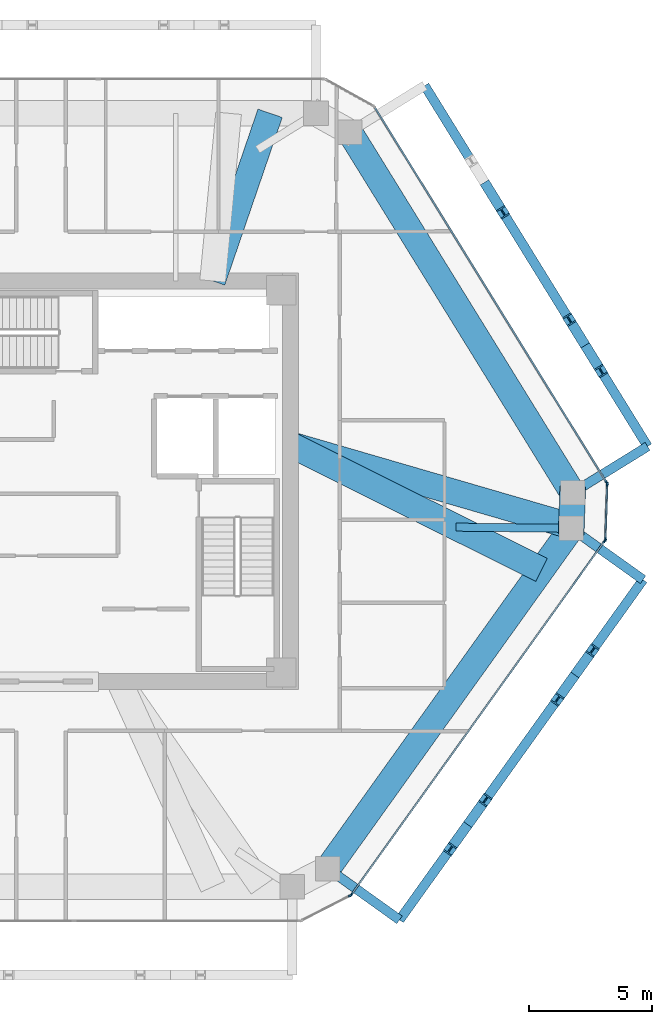
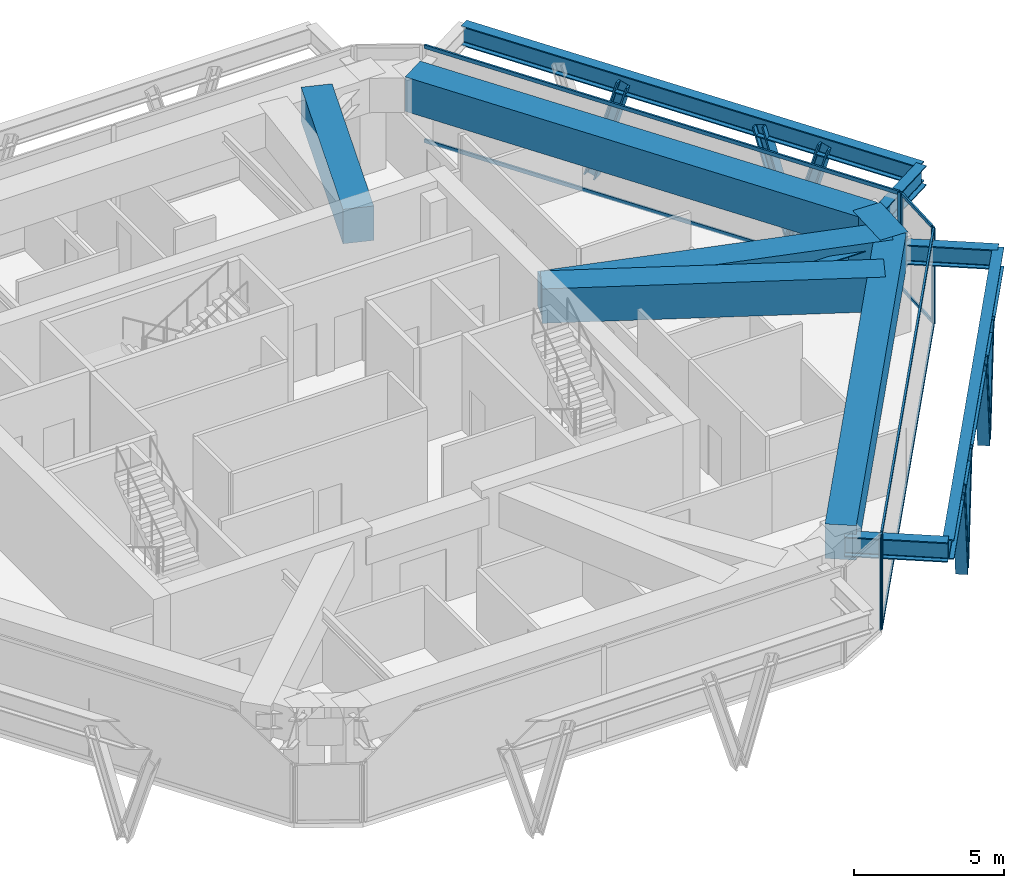
# One storey, part 5 of 11: 19 members, 12 beams, 4 elements without a shape of their own.
"""IFC4 building model written with IfcOpenShell, lengths in metres."""

import ifcopenshell
import ifcopenshell.guid

model = None  # the IFC model being written
_history = None  # IfcOwnerHistory: only IFC2X3 demands one
_inside = {}  # id of a spatial element -> (the spatial element, [elements in it])
_under = {}  # id of a project, library or spatial element -> (it, [spatial elements below it])
_declared = {}  # id of a project -> (the project, [libraries it declares])
_typed = {}  # id of a type object -> (the type object, [elements of that type])
_made_of = {}  # id of a material, layer set ... -> (it, [elements and type objects made of it])


def new_model(schema):
    """Start an empty IFC model of exactly this schema.

    Asked for "IFC4X3", IfcOpenShell would pick the latest addendum, in which some entities
    have other attributes; the version numbers below select the first issue.
    IFC2X3 requires an IfcOwnerHistory on every rooted entity: one is made here for all.
    """
    global model, _history
    if schema == "IFC4X3":
        model = ifcopenshell.file(schema_version=(4, 3, 0, 0))
    else:
        model = ifcopenshell.file(schema=schema)
    _inside.clear()
    _under.clear()
    _declared.clear()
    _typed.clear()
    _made_of.clear()
    _history = None
    if model.schema == "IFC2X3":
        org = make("IfcOrganization", Name="unknown")
        user = make(
            "IfcPersonAndOrganization",
            ThePerson=make("IfcPerson", FamilyName="unknown"),
            TheOrganization=org,
        )
        app = make(
            "IfcApplication",
            ApplicationDeveloper=org,
            Version="unknown",
            ApplicationFullName="unknown",
            ApplicationIdentifier="unknown",
        )
        _history = make(
            "IfcOwnerHistory",
            OwningUser=user,
            OwningApplication=app,
            ChangeAction="ADDED",
            CreationDate=0,
        )
    return model


def make(cls, **values):
    """One entity of the class cls with the attributes given. An attribute that is None is left unset."""
    return model.create_entity(
        cls, **{name: value for name, value in values.items() if value is not None}
    )


def rooted(cls, **values):
    """An entity with a GlobalId (a new one), such as an element, a storey or a relation."""
    return make(cls, GlobalId=ifcopenshell.guid.new(), OwnerHistory=_history, **values)


def si_unit(unit_type, name, prefix=None):
    """IfcSIUnit, for example si_unit("LENGTHUNIT", "METRE", prefix="MILLI")."""
    return make("IfcSIUnit", UnitType=unit_type, Prefix=prefix, Name=name)


def assignment(units):
    """IfcUnitAssignment: the units of a project."""
    return None if units is None else make("IfcUnitAssignment", Units=units)


def point(xyz):
    """IfcCartesianPoint."""
    return None if xyz is None else make("IfcCartesianPoint", Coordinates=xyz)


def direction(xyz):
    """IfcDirection."""
    return None if xyz is None else make("IfcDirection", DirectionRatios=xyz)


def frame(location, z_axis=None, x_axis=None):
    """IfcAxis2Placement3D, a coordinate frame: its origin and axes. An axis left out is left unset."""
    return make(
        "IfcAxis2Placement3D",
        Location=point(location),
        Axis=direction(z_axis),
        RefDirection=direction(x_axis),
    )


def frame_2d(location, x_axis=None):
    """IfcAxis2Placement2D, a coordinate frame in the plane: its origin and x axis."""
    return make(
        "IfcAxis2Placement2D", Location=point(location), RefDirection=direction(x_axis)
    )


def origin():
    """The frame at (0, 0, 0) with its axes left unset."""
    return frame((0.0, 0.0, 0.0))


def origin_2d():
    """The frame at (0, 0) in the plane with its x axis left unset."""
    return frame_2d((0.0, 0.0))


def place(relative_to, where):
    """IfcLocalPlacement: puts the frame where relative to a parent placement (None: the world)."""
    return make(
        "IfcLocalPlacement", PlacementRelTo=relative_to, RelativePlacement=where
    )


def context(
    kind, dimensions, precision=None, world=None, true_north=None, identifier=None
):
    """IfcGeometricRepresentationContext, for example the 3D "Model" context."""
    return make(
        "IfcGeometricRepresentationContext",
        ContextIdentifier=identifier,
        ContextType=kind,
        CoordinateSpaceDimension=dimensions,
        Precision=precision,
        WorldCoordinateSystem=world,
        TrueNorth=true_north,
    )


def subcontext(parent, identifier, kind, view, scale=None):
    """IfcGeometricRepresentationSubContext, for example "Body" below "Model"."""
    return make(
        "IfcGeometricRepresentationSubContext",
        ContextIdentifier=identifier,
        ContextType=kind,
        ParentContext=parent,
        TargetScale=scale,
        TargetView=view,
    )


def project(units=None, contexts=None):
    """IfcProject with its units and contexts."""
    return rooted(
        "IfcProject",
        Name="project",
        RepresentationContexts=contexts,
        UnitsInContext=assignment(units),
    )


def spatial(cls, under=None, at=None, **own):
    """A site, building, storey or space (cls), placed at a placement, below another one or the project."""
    s = rooted(cls, ObjectPlacement=at, **own)
    if under is not None:
        _under.setdefault(under.id(), (under, []))[1].append(s)
    return s


def profile(cls, at=None, kind="AREA", **sizes):
    """A parametric profile (cls). Its sizes go by their IFC names, for example OverallWidth=200.0."""
    return make(cls, ProfileType=kind, Position=at, **sizes)


def rectangle(**sizes):
    """IfcRectangleProfileDef."""
    return profile("IfcRectangleProfileDef", **sizes)


def i_section(**sizes):
    """IfcIShapeProfileDef."""
    return profile("IfcIShapeProfileDef", **sizes)


def extrude(swept, where, along, depth):
    """IfcExtrudedAreaSolid: the profile swept, set in the frame where, extruded along a direction by depth."""
    return make(
        "IfcExtrudedAreaSolid",
        SweptArea=swept,
        Position=where,
        ExtrudedDirection=direction(along),
        Depth=depth,
    )


def shape(context_of_items, identifier, shape_type, items):
    """IfcShapeRepresentation: the items that make up one representation, for example the "Body"."""
    return make(
        "IfcShapeRepresentation",
        ContextOfItems=context_of_items,
        RepresentationIdentifier=identifier,
        RepresentationType=shape_type,
        Items=items,
    )


def source(mapping_origin, context_of_items, identifier, shape_type, items):
    """IfcRepresentationMap: a shape defined once, which mapped items show again and again."""
    return make(
        "IfcRepresentationMap",
        MappingOrigin=mapping_origin,
        MappedRepresentation=shape(context_of_items, identifier, shape_type, items),
    )


def transform(
    local_origin,
    x_axis=None,
    y_axis=None,
    z_axis=None,
    scale=None,
    scale2=None,
    scale3=None,
    uniform=True,
):
    """IfcCartesianTransformationOperator3D, or its non-uniform kind. x_axis, y_axis, z_axis: its Axis1, 2, 3."""
    if uniform:
        return make(
            "IfcCartesianTransformationOperator3D",
            Axis1=direction(x_axis),
            Axis2=direction(y_axis),
            LocalOrigin=point(local_origin),
            Scale=scale,
            Axis3=direction(z_axis),
        )
    return make(
        "IfcCartesianTransformationOperator3DnonUniform",
        Axis1=direction(x_axis),
        Axis2=direction(y_axis),
        LocalOrigin=point(local_origin),
        Scale=scale,
        Axis3=direction(z_axis),
        Scale2=scale2,
        Scale3=scale3,
    )


def mapped(mapping_source, mapping_target):
    """IfcMappedItem: shows the shape of a source again, moved by a transform."""
    return make(
        "IfcMappedItem", MappingSource=mapping_source, MappingTarget=mapping_target
    )


def material(Name=None, Category=None):
    """IfcMaterial."""
    return make("IfcMaterial", Name=Name, Category=Category)


def layer(
    of_material, thickness, ventilated=None, Name=None, Category=None, Priority=None
):
    """IfcMaterialLayer: one layer of a wall or slab, of a material (None: an air gap)."""
    return make(
        "IfcMaterialLayer",
        Material=of_material,
        LayerThickness=thickness,
        IsVentilated=ventilated,
        Name=Name,
        Category=Category,
        Priority=Priority,
    )


def layer_set(layers, Name=None):
    """IfcMaterialLayerSet."""
    return make("IfcMaterialLayerSet", MaterialLayers=layers, LayerSetName=Name)


def material_profile(
    of_material, cross_section, Name=None, Category=None, Priority=None
):
    """IfcMaterialProfile: a cross section and its material."""
    return make(
        "IfcMaterialProfile",
        Name=Name,
        Material=of_material,
        Profile=cross_section,
        Priority=Priority,
        Category=Category,
    )


def profile_set(profiles, Name=None, composite=None):
    """IfcMaterialProfileSet."""
    return make(
        "IfcMaterialProfileSet",
        Name=Name,
        MaterialProfiles=profiles,
        CompositeProfile=composite,
    )


def made_of(thing, what):
    """Note that an element or type object is made of a material, layer set ...; save() writes the relation."""
    if what is not None:
        _made_of.setdefault(what.id(), (what, []))[1].append(thing)
    return thing


def type_object(cls, material=None, **own):
    """A type object (cls), such as IfcWallType, which elements share."""
    return made_of(rooted(cls, **own), material)


def type_shapes(of_type, sources):
    """Give a type object the sources (RepresentationMaps) that its elements show as mapped items."""
    of_type.RepresentationMaps = sources


def element(
    cls,
    number,
    at=None,
    inside=None,
    cuts=None,
    type_object=None,
    material=None,
    context=None,
    identifier="Body",
    shape_type=None,
    held_by="IfcProductDefinitionShape",
    body=None,
    shapes=None,
    **own,
):
    """One element of the class cls, such as IfcWall. Its Tag is "e" and its number.

    at: its placement. inside: the storey or other place that contains it. cuts: it is an
    opening in that element (IfcRelVoidsElement). A single representation is given by context,
    identifier, shape_type and body (its items); several are given by shapes. held_by: the class
    of the entity that holds the representations. save() writes the other relations.
    """
    e = rooted(cls, Tag="e%d" % number, ObjectPlacement=at, **own)
    if body is not None:
        shapes = [shape(context, identifier, shape_type, body)]
    if shapes is not None:
        e.Representation = make(held_by, Representations=shapes)
    if inside is not None:
        _inside.setdefault(inside.id(), (inside, []))[1].append(e)
    if cuts is not None:
        rooted(
            "IfcRelVoidsElement", RelatingBuildingElement=cuts, RelatedOpeningElement=e
        )
    if type_object is not None:
        _typed.setdefault(type_object.id(), (type_object, []))[1].append(e)
    return made_of(e, material)


def aggregate(whole, parts):
    """IfcRelAggregates: a whole, such as a stair, and the parts it consists of."""
    return rooted("IfcRelAggregates", RelatingObject=whole, RelatedObjects=parts)


def save(model, path):
    """Write the relations noted so far, then the file.

    IfcRelAggregates (storeys below a building ...), IfcRelContainedInSpatialStructure (elements
    in a storey), IfcRelDefinesByType, IfcRelAssociatesMaterial and IfcRelDeclares: one each for
    every whole, place, type object, material and project.
    """
    for whole, parts in _under.values():
        aggregate(whole, parts)
    for where, things in _inside.values():
        rooted(
            "IfcRelContainedInSpatialStructure",
            RelatedElements=things,
            RelatingStructure=where,
        )
    for kind, things in _typed.values():
        rooted("IfcRelDefinesByType", RelatedObjects=things, RelatingType=kind)
    for what, things in _made_of.values():
        rooted("IfcRelAssociatesMaterial", RelatedObjects=things, RelatingMaterial=what)
    for by, libraries in _declared.values():
        rooted("IfcRelDeclares", RelatingContext=by, RelatedDefinitions=libraries)
    model.write(path)


model = new_model("IFC4")

# Units and contexts
model_context = context("Model", 3, precision=1e-05, world=origin(), true_north=direction((0.0, 1.0)))
body_context = subcontext(model_context, "Body", "Model", "MODEL_VIEW")
ifc_project = project(units=[si_unit("LENGTHUNIT", "METRE"), si_unit("AREAUNIT", "SQUARE_METRE"), si_unit("VOLUMEUNIT", "CUBIC_METRE"), si_unit("PLANEANGLEUNIT", "RADIAN"), si_unit("MASSUNIT", "GRAM", prefix="KILO")], contexts=[model_context])

# Site, building, storey
site_placement = place(None, origin())
site = spatial("IfcSite", under=ifc_project, at=site_placement, CompositionType="ELEMENT")
building_placement = place(site_placement, origin())
building = spatial("IfcBuilding", under=site, at=building_placement, Name="Durnholm Broadcast Tower", CompositionType="ELEMENT")
storey_placement = place(building_placement, frame((0.0, 0.0, 209.199951171875)))
storey = spatial("IfcBuildingStorey", under=building, at=storey_placement, Name="L58", CompositionType="ELEMENT", Elevation=209.199951171875)

# Beams
ifc_material_1 = material(Name="Steel ASTM A992 Grade 50", Category="steel")
ifc_material_profile_1 = material_profile(ifc_material_1, i_section(OverallWidth=0.385009765625, OverallDepth=0.802978515625, WebThickness=0.023681640625, FlangeThickness=0.0419921875, FilletRadius=0.032958984375, at=origin_2d()), Name="W30X261")
ifc_profile_set_1 = profile_set([ifc_material_profile_1], Name="Steel ASTM A992 Grade 50")
beam_type_1 = type_object("IfcBeamType", Name="BM-EXO-TIE", PredefinedType="USERDEFINED", material=ifc_profile_set_1)
shared_shape_1 = source(origin(), body_context, "Body", "SweptSolid", [
    extrude(i_section(OverallWidth=0.385009765625, OverallDepth=0.802978515625, WebThickness=0.023681640625, FlangeThickness=0.0419921875, FilletRadius=0.032958984375, at=origin_2d()), origin(), (0.0, 0.0, 1.0), 3.4560546875),
])
for number, where, z_axis, x_axis, name in (
    (1, (11.81689453125, -15.884033203125, 3.1484375), (0.813079048773, -0.582153296346, 0.0), (0.582153296346, 0.813079048773, 0.0), "L58 exoskeleton stand-off tie bracket F2.1"),
    (2, (21.7548828125, -2.00341796875, 3.1484375), (0.813079048773, -0.582153296346, 0.0), (0.582153296346, 0.813079048773, 0.0), "L58 exoskeleton stand-off tie bracket F2.2"),
    (3, (21.8095703125, -0.3916015625, 3.1484375), (0.850662348375, 0.525712439512, 0.0), (-0.525712439512, 0.850662348375, 0.0), "L58 exoskeleton stand-off tie bracket F3.1"),
):
    element("IfcBeam", number, at=place(storey_placement, frame(where, z_axis=z_axis, x_axis=x_axis)), inside=storey, type_object=beam_type_1, Name=name, ObjectType="GIRDER", PredefinedType="USERDEFINED", context=body_context, shape_type="MappedRepresentation", body=[
        mapped(shared_shape_1, transform((0.0, 0.0, 0.0), x_axis=(1.0, 0.0, 0.0), y_axis=(0.0, 1.0, 0.0), z_axis=(0.0, 0.0, 1.0), scale=1.0)),
    ])
shared_shape_2 = source(origin(), body_context, "Body", "SweptSolid", [
    extrude(i_section(OverallWidth=0.385009765625, OverallDepth=0.802978515625, WebThickness=0.023681640625, FlangeThickness=0.0419921875, FilletRadius=0.032958984375, at=origin_2d()), origin(), (0.0, 0.0, 1.0), 17.071533203125),
])
beam_1_placement = place(storey_placement, frame((14.626953125, -17.89599609375, 3.1484375), z_axis=(0.582140157836, 0.813088455603, 0.0), x_axis=(-0.813088455603, 0.582140157836, 0.0)))
element("IfcBeam", 4, at=beam_1_placement, inside=storey, type_object=beam_type_1, Name="L58 exoskeleton collector spandrel F2", PredefinedType="SPANDREL", context=body_context, shape_type="MappedRepresentation", body=[
    mapped(shared_shape_2, transform((0.0, 0.0, 0.0), x_axis=(1.0, 0.0, 0.0), y_axis=(0.0, 1.0, 0.0), z_axis=(0.0, 0.0, 1.0), scale=1.0)),
])
shared_shape_3 = source(origin(), body_context, "Body", "SweptSolid", [
    extrude(i_section(OverallWidth=0.385009765625, OverallDepth=0.802978515625, WebThickness=0.023681640625, FlangeThickness=0.0419921875, FilletRadius=0.032958984375, at=origin_2d()), origin(), (0.0, 0.0, 1.0), 17.303466796875),
])
type_shapes(beam_type_1, [shared_shape_1, shared_shape_2, shared_shape_3])
beam_2_placement = place(storey_placement, frame((24.74951171875, 1.42529296875, 3.1484375), z_axis=(-0.525701634347, 0.850669025911, 0.0), x_axis=(-0.850669025911, -0.525701634347, 0.0)))
element("IfcBeam", 5, at=beam_2_placement, inside=storey, type_object=beam_type_1, Name="L58 exoskeleton collector spandrel F3", PredefinedType="SPANDREL", context=body_context, shape_type="MappedRepresentation", body=[
    mapped(shared_shape_3, transform((0.0, 0.0, 0.0), x_axis=(1.0, 0.0, 0.0), y_axis=(0.0, 1.0, 0.0), z_axis=(0.0, 0.0, 1.0), scale=1.0)),
])
ifc_material_2 = material(Name="Concrete C70/85", Category="concrete")
ifc_material_profile_2 = material_profile(ifc_material_2, rectangle(XDim=1.050048828125, YDim=1.39990234375, at=origin_2d()), Name="RC1050X1400")
ifc_profile_set_2 = profile_set([ifc_material_profile_2], Name="Concrete C70/85")
beam_type_2 = type_object("IfcBeamType", Name="BM-TG-RC1400", PredefinedType="USERDEFINED", material=ifc_profile_set_2)
shared_shape_4 = source(origin(), body_context, "Body", "SweptSolid", [
    extrude(rectangle(XDim=1.050048828125, YDim=1.39990234375, at=origin_2d()), origin(), (0.0, 0.0, 1.0), 1.953369140625),
])
beam_3_placement = place(storey_placement, frame((21.695556640625, -0.21728515625, 3.199951171875), z_axis=(-0.033872497497, -0.999426162312, 0.0), x_axis=(0.999426162312, -0.033872497497, 0.0)))
element("IfcBeam", 6, at=beam_3_placement, inside=storey, type_object=beam_type_2, Name="L58 perimeter transfer spandrel girder 08", PredefinedType="SPANDREL", context=body_context, shape_type="MappedRepresentation", body=[
    mapped(shared_shape_4, transform((0.0, 0.0, 0.0), x_axis=(1.0, 0.0, 0.0), y_axis=(0.0, 1.0, 0.0), z_axis=(0.0, 0.0, 1.0), scale=1.0)),
])
shared_shape_5 = source(origin(), body_context, "Body", "SweptSolid", [
    extrude(rectangle(XDim=1.050048828125, YDim=1.39990234375, at=origin_2d()), origin(), (0.0, 0.0, 1.0), 17.30322265625),
])
beam_4_placement = place(storey_placement, frame((12.5908203125, 14.252197265625, 3.199951171875), z_axis=(0.525691424148, -0.850675335588, 0.0), x_axis=(0.850675335588, 0.525691424148, 0.0)))
element("IfcBeam", 7, at=beam_4_placement, inside=storey, type_object=beam_type_2, Name="L58 perimeter transfer spandrel girder 07", PredefinedType="SPANDREL", context=body_context, shape_type="MappedRepresentation", body=[
    mapped(shared_shape_5, transform((0.0, 0.0, 0.0), x_axis=(1.0, 0.0, 0.0), y_axis=(0.0, 1.0, 0.0), z_axis=(0.0, 0.0, 1.0), scale=1.0)),
])
shared_shape_6 = source(origin(), body_context, "Body", "SweptSolid", [
    extrude(rectangle(XDim=1.050048828125, YDim=1.39990234375, at=origin_2d()), origin(), (0.0, 0.0, 1.0), 17.071533203125),
])
beam_5_placement = place(storey_placement, frame((21.637939453125, -1.919677734375, 3.199951171875), z_axis=(-0.582149612352, -0.813081686449, 0.0), x_axis=(0.813081686449, -0.582149612352, 0.0)))
element("IfcBeam", 8, at=beam_5_placement, inside=storey, type_object=beam_type_2, Name="L58 perimeter transfer spandrel girder 09", PredefinedType="SPANDREL", context=body_context, shape_type="MappedRepresentation", body=[
    mapped(shared_shape_6, transform((0.0, 0.0, 0.0), x_axis=(1.0, 0.0, 0.0), y_axis=(0.0, 1.0, 0.0), z_axis=(0.0, 0.0, 1.0), scale=1.0)),
])
shared_shape_7 = source(origin(), body_context, "Body", "SweptSolid", [
    extrude(rectangle(XDim=1.050048828125, YDim=1.39990234375, at=origin_2d()), origin(), (0.0, 0.0, 1.0), 7.2333984375),
])
beam_6_placement = place(storey_placement, frame((7.0, 8.175048828125, 3.199951171875), z_axis=(0.324114633666, 0.946017813915, 0.0), x_axis=(-0.946017813915, 0.324114633666, 0.0)))
element("IfcBeam", 9, at=beam_6_placement, inside=storey, type_object=beam_type_2, Name="L58 radial setback transfer girder 07", ObjectType="GIRDER", PredefinedType="USERDEFINED", context=body_context, shape_type="MappedRepresentation", body=[
    mapped(shared_shape_7, transform((0.0, 0.0, 0.0), x_axis=(1.0, 0.0, 0.0), y_axis=(0.0, 1.0, 0.0), z_axis=(0.0, 0.0, 1.0), scale=1.0)),
])
shared_shape_8 = source(origin(), body_context, "Body", "SweptSolid", [
    extrude(rectangle(XDim=1.050048828125, YDim=1.39990234375, at=origin_2d()), origin(), (0.0, 0.0, 1.0), 11.940673828125),
])
beam_7_placement = place(storey_placement, frame((10.175048828125, 1.5, 3.199951171875), z_axis=(0.960224106528, -0.279230487668, 0.0), x_axis=(0.279230487668, 0.960224106528, 0.0)))
element("IfcBeam", 10, at=beam_7_placement, inside=storey, type_object=beam_type_2, Name="L58 radial setback transfer girder 08", ObjectType="GIRDER", PredefinedType="USERDEFINED", context=body_context, shape_type="MappedRepresentation", body=[
    mapped(shared_shape_8, transform((0.0, 0.0, 0.0), x_axis=(1.0, 0.0, 0.0), y_axis=(0.0, 1.0, 0.0), z_axis=(0.0, 0.0, 1.0), scale=1.0)),
])
shared_shape_9 = source(origin(), body_context, "Body", "SweptSolid", [
    extrude(rectangle(XDim=1.050048828125, YDim=1.39990234375, at=origin_2d()), origin(), (0.0, 0.0, 1.0), 11.4541015625),
])
type_shapes(beam_type_2, [shared_shape_4, shared_shape_5, shared_shape_6, shared_shape_7, shared_shape_8, shared_shape_9])
beam_8_placement = place(storey_placement, frame((10.175048828125, 1.5, 3.199951171875), z_axis=(0.894623200828, -0.446821360882, 0.0), x_axis=(0.446821360882, 0.894623200828, 0.0)))
element("IfcBeam", 11, at=beam_8_placement, inside=storey, type_object=beam_type_2, Name="L58 radial setback transfer girder 09", ObjectType="GIRDER", PredefinedType="USERDEFINED", context=body_context, shape_type="MappedRepresentation", body=[
    mapped(shared_shape_9, transform((0.0, 0.0, 0.0), x_axis=(1.0, 0.0, 0.0), y_axis=(0.0, 1.0, 0.0), z_axis=(0.0, 0.0, 1.0), scale=1.0)),
])
ifc_material_profile_3 = material_profile(ifc_material_1, i_section(OverallWidth=0.3291015625, OverallDepth=0.635009765625, WebThickness=0.017822265625, FlangeThickness=0.031005859375, FilletRadius=0.02783203125, at=origin_2d()), Name="W24X162")
ifc_profile_set_3 = profile_set([ifc_material_profile_3], Name="Steel ASTM A992 Grade 50")
beam_type_3 = type_object("IfcBeamType", Name="STL-SP-W24X162", PredefinedType="SPANDREL", material=ifc_profile_set_3)
shared_shape_10 = source(origin(), body_context, "Body", "SweptSolid", [
    extrude(i_section(OverallWidth=0.3291015625, OverallDepth=0.635009765625, WebThickness=0.017822265625, FlangeThickness=0.031005859375, FilletRadius=0.02783203125, at=origin_2d()), origin(), (0.0, 0.0, 1.0), 4.7158203125),
])
type_shapes(beam_type_3, [shared_shape_10])
beam_9_placement = place(storey_placement, frame((21.637939453125, -1.919677734375, 3.280029296875), z_axis=(-0.999944229494, 0.010561150547, 0.0), x_axis=(-0.010561150547, -0.999944229494, 0.0)))
element("IfcBeam", 12, at=beam_9_placement, inside=storey, type_object=beam_type_3, Name="L58 perimeter column collector tie 09", ObjectType="GIRDER", PredefinedType="USERDEFINED", context=body_context, shape_type="MappedRepresentation", body=[
    mapped(shared_shape_10, transform((0.0, 0.0, 0.0), x_axis=(1.0, 0.0, 0.0), y_axis=(0.0, 1.0, 0.0), z_axis=(0.0, 0.0, 1.0), scale=1.0)),
])

# Members
ifc_material_3 = material(Name="Steel ASTM A913 Grade 65", Category="steel")
ifc_material_profile_4 = material_profile(ifc_material_3, i_section(OverallWidth=0.412109375, OverallDepth=0.434814453125, WebThickness=0.035888671875, FlangeThickness=0.057373046875, FilletRadius=0.030517578125, at=origin_2d()), Name="W14X311")
ifc_profile_set_4 = profile_set([ifc_material_profile_4], Name="Steel ASTM A913 Grade 65")
member_type_1 = type_object("IfcMemberType", Name="STL-DG-W14X311", PredefinedType="BRACE", material=ifc_profile_set_4)
shared_shape_11 = source(origin(), body_context, "Body", "SweptSolid", [
    extrude(i_section(OverallWidth=0.412109375, OverallDepth=0.434814453125, WebThickness=0.035888671875, FlangeThickness=0.057373046875, FilletRadius=0.030517578125, at=origin_2d()), origin(), (0.0, 0.0, 1.0), 4.31982421875),
])
type_shapes(member_type_1, [shared_shape_11])
for number, where, z_axis, x_axis, name in (
    (13, (17.40966796875, -14.009521484375, -0.991455078125), (-0.166270665174, -0.232225072468, 0.958345230916), (0.813077820009, -0.582155012526, 0.0), "L58 stand-off diagrid brace F2.D1.1"),
    (14, (17.40966796875, -14.009521484375, -0.991455078125), (0.166270665174, 0.232225072468, 0.958345230916), (-0.813077820009, 0.582155012526, 0.0), "L58 stand-off diagrid brace F2.D1.2"),
    (15, (21.782470703125, -7.90185546875, -0.991455078125), (-0.166270665174, -0.232225072468, 0.958345230916), (0.813077820009, -0.582155012526, 0.0), "L58 stand-off diagrid brace F2.D2.1"),
    (16, (21.782470703125, -7.90185546875, -0.991455078125), (0.166215710641, 0.232227254343, 0.95835423507), (-0.813171482985, 0.58202417412, 0.0), "L58 stand-off diagrid brace F2.D2.2"),
    (17, (22.202392578125, 5.546875, -0.991455078125), (0.150163114843, -0.242962450399, 0.958342468347), (0.850644447398, 0.525741404219, 0.0), "L58 stand-off diagrid brace F3.D1.1"),
    (18, (22.202392578125, 5.546875, -0.991455078125), (-0.15010993349, 0.242911330624, 0.958363758352), (-0.85067825406, -0.525686701439, 0.0), "L58 stand-off diagrid brace F3.D1.2"),
    (19, (18.2001953125, 12.023193359375, -0.991455078125), (0.15010993349, -0.242911330624, 0.958363758352), (0.85067825406, 0.525686701439, 0.0), "L58 stand-off diagrid brace F3.D2.1"),
):
    element("IfcMember", number, at=place(storey_placement, frame(where, z_axis=z_axis, x_axis=x_axis)), inside=storey, type_object=member_type_1, Name=name, PredefinedType="BRACE", context=body_context, shape_type="MappedRepresentation", body=[
        mapped(shared_shape_11, transform((0.0, 0.0, 0.0), x_axis=(1.0, 0.0, 0.0), y_axis=(0.0, 1.0, 0.0), z_axis=(0.0, 0.0, 1.0), scale=1.0)),
    ])

# Curtain wall, members
ifc_material_4 = material(Name="Aluminium and Solar Control IGU", Category="aluminium")
ifc_layer_1 = layer(ifc_material_4, 0.1650390625)
ifc_layer_set_1 = layer_set([ifc_layer_1], Name="Aluminium and Solar Control IGU")
curtain_wall_type_1 = type_object("IfcCurtainWallType", Name="CW-SYS-5", PredefinedType="NOTDEFINED", material=ifc_layer_set_1)
curtain_wall_1_placement = place(storey_placement, origin())
curtain_wall_1 = element("IfcCurtainWall", 20, at=curtain_wall_1_placement, inside=storey, type_object=curtain_wall_type_1, Name="L58 curtain wall CW-CORNER CW-L58-CRN-07", PredefinedType="NOTDEFINED")
ifc_material_5 = material(Name="Aluminium 6063-T6", Category="aluminium")
ifc_material_profile_5 = material_profile(ifc_material_5, rectangle(XDim=0.06494140625, YDim=0.1298828125, at=origin_2d()), Name="CWT65X130")
ifc_profile_set_5 = profile_set([ifc_material_profile_5], Name="Aluminium 6063-T6")
member_type_2 = type_object("IfcMemberType", Name="CW-SYS-5-TRN", PredefinedType="USERDEFINED", material=ifc_profile_set_5)
shared_shape_12 = source(origin(), body_context, "Body", "SweptSolid", [
    extrude(rectangle(XDim=0.06494140625, YDim=0.1298828125, at=origin_2d()), origin(), (0.0, 0.0, 1.0), 2.170166015625),
])
type_shapes(member_type_2, [shared_shape_12])
member_1_placement = place(storey_placement, frame((23.098388671875, -0.156494140625, 0.032470703125), z_axis=(-0.033861704743, -0.999426528041, 0.0), x_axis=(0.999426528041, -0.033861704743, 0.0)))
member_1 = element("IfcMember", 21, at=member_1_placement, type_object=member_type_2, Name="CW-CORNER transom 1.1", ObjectType="TRANSOM", PredefinedType="USERDEFINED", context=body_context, shape_type="MappedRepresentation", body=[
    mapped(shared_shape_12, transform((0.0, 0.0, 0.0), x_axis=(1.0, 0.0, 0.0), y_axis=(0.0, 1.0, 0.0), z_axis=(0.0, 0.0, 1.0), scale=1.0)),
])
member_2_placement = place(storey_placement, frame((23.098388671875, -0.156494140625, 3.867431640625), z_axis=(-0.033861704743, -0.999426528041, 0.0), x_axis=(0.999426528041, -0.033861704743, 0.0)))
member_2 = element("IfcMember", 22, at=member_2_placement, type_object=member_type_2, Name="CW-CORNER transom 1.2", ObjectType="TRANSOM", PredefinedType="USERDEFINED", context=body_context, shape_type="MappedRepresentation", body=[
    mapped(shared_shape_12, transform((0.0, 0.0, 0.0), x_axis=(1.0, 0.0, 0.0), y_axis=(0.0, 1.0, 0.0), z_axis=(0.0, 0.0, 1.0), scale=1.0)),
])

ifc_layer_2 = layer(ifc_material_4, 0.18994140625)
ifc_layer_set_2 = layer_set([ifc_layer_2], Name="Aluminium and Solar Control IGU")
curtain_wall_type_2 = type_object("IfcCurtainWallType", Name="CW-SYS-4", PredefinedType="NOTDEFINED", material=ifc_layer_set_2)
curtain_wall_2_placement = place(storey_placement, origin())
curtain_wall_2 = element("IfcCurtainWall", 23, at=curtain_wall_2_placement, inside=storey, type_object=curtain_wall_type_2, Name="L58 curtain wall CW-Z34-VIS CW-L58-F06", PredefinedType="NOTDEFINED")
ifc_material_profile_6 = material_profile(ifc_material_5, rectangle(XDim=0.070068359375, YDim=0.14990234375, at=origin_2d()), Name="CWT70X150")
ifc_profile_set_6 = profile_set([ifc_material_profile_6], Name="Aluminium 6063-T6")
member_type_3 = type_object("IfcMemberType", Name="CW-SYS-4-TRN", PredefinedType="USERDEFINED", material=ifc_profile_set_6)
shared_shape_13 = source(origin(), body_context, "Body", "SweptSolid", [
    extrude(rectangle(XDim=0.070068359375, YDim=0.14990234375, at=origin_2d()), origin(), (0.0, 0.0, 1.0), 17.950927734375),
])
member_3_placement = place(storey_placement, frame((13.627197265625, 15.23828125, 0.03515625), z_axis=(0.525699895853, -0.850670100274, 0.0), x_axis=(0.850670100274, 0.525699895853, 0.0)))
member_3 = element("IfcMember", 24, at=member_3_placement, type_object=member_type_3, Name="CW-Z34-VIS transom 1.1", ObjectType="TRANSOM", PredefinedType="USERDEFINED", context=body_context, shape_type="MappedRepresentation", body=[
    mapped(shared_shape_13, transform((0.0, 0.0, 0.0), x_axis=(1.0, 0.0, 0.0), y_axis=(0.0, 1.0, 0.0), z_axis=(0.0, 0.0, 1.0), scale=1.0)),
])
member_4_placement = place(storey_placement, frame((13.627197265625, 15.23828125, 3.864990234375), z_axis=(0.525699895853, -0.850670100274, 0.0), x_axis=(0.850670100274, 0.525699895853, 0.0)))
member_4 = element("IfcMember", 25, at=member_4_placement, type_object=member_type_3, Name="CW-Z34-VIS transom 1.2", ObjectType="TRANSOM", PredefinedType="USERDEFINED", context=body_context, shape_type="MappedRepresentation", body=[
    mapped(shared_shape_13, transform((0.0, 0.0, 0.0), x_axis=(1.0, 0.0, 0.0), y_axis=(0.0, 1.0, 0.0), z_axis=(0.0, 0.0, 1.0), scale=1.0)),
])

curtain_wall_3_placement = place(storey_placement, origin())
curtain_wall_3 = element("IfcCurtainWall", 26, at=curtain_wall_3_placement, inside=storey, type_object=curtain_wall_type_2, Name="L58 curtain wall CW-Z34-VIS CW-L58-F08", PredefinedType="NOTDEFINED")
shared_shape_14 = source(origin(), body_context, "Body", "SweptSolid", [
    extrude(rectangle(XDim=0.070068359375, YDim=0.14990234375, at=origin_2d()), origin(), (0.0, 0.0, 1.0), 17.693603515625),
])
type_shapes(member_type_3, [shared_shape_13, shared_shape_14])
member_5_placement = place(storey_placement, frame((22.98193359375, -2.447265625, 0.03515625), z_axis=(-0.582144969277, -0.813085010774, 0.0), x_axis=(0.813085010774, -0.582144969277, 0.0)))
member_5 = element("IfcMember", 27, at=member_5_placement, type_object=member_type_3, Name="CW-Z34-VIS transom 1.1", ObjectType="TRANSOM", PredefinedType="USERDEFINED", context=body_context, shape_type="MappedRepresentation", body=[
    mapped(shared_shape_14, transform((0.0, 0.0, 0.0), x_axis=(1.0, 0.0, 0.0), y_axis=(0.0, 1.0, 0.0), z_axis=(0.0, 0.0, 1.0), scale=1.0)),
])
member_6_placement = place(storey_placement, frame((22.98193359375, -2.447265625, 3.864990234375), z_axis=(-0.582144969277, -0.813085010774, 0.0), x_axis=(0.813085010774, -0.582144969277, 0.0)))
member_6 = element("IfcMember", 28, at=member_6_placement, type_object=member_type_3, Name="CW-Z34-VIS transom 1.2", ObjectType="TRANSOM", PredefinedType="USERDEFINED", context=body_context, shape_type="MappedRepresentation", body=[
    mapped(shared_shape_14, transform((0.0, 0.0, 0.0), x_axis=(1.0, 0.0, 0.0), y_axis=(0.0, 1.0, 0.0), z_axis=(0.0, 0.0, 1.0), scale=1.0)),
])

# Member
ifc_material_profile_7 = material_profile(ifc_material_5, rectangle(XDim=0.06494140625, YDim=0.1650390625, at=origin_2d()), Name="CWM65X165")
ifc_profile_set_7 = profile_set([ifc_material_profile_7], Name="Aluminium 6063-T6")
member_type_4 = type_object("IfcMemberType", Name="CW-SYS-5-MUL", PredefinedType="MULLION", material=ifc_profile_set_7)
shared_shape_15 = source(origin(), body_context, "Body", "SweptSolid", [
    extrude(rectangle(XDim=0.06494140625, YDim=0.1650390625, at=origin_2d()), origin(), (0.0, 0.0, 1.0), 3.900146484375),
])
type_shapes(member_type_4, [shared_shape_15])
member_7_placement = place(storey_placement, frame((23.099609375, -0.1240234375, 0.0), z_axis=(0.0, 0.0, 1.0), x_axis=(0.999424798802, -0.033912704699, 0.0)))
member_7 = element("IfcMember", 29, at=member_7_placement, type_object=member_type_4, Name="CW-CORNER mullion 1", PredefinedType="MULLION", context=body_context, shape_type="MappedRepresentation", body=[
    mapped(shared_shape_15, transform((0.0, 0.0, 0.0), x_axis=(1.0, 0.0, 0.0), y_axis=(0.0, 1.0, 0.0), z_axis=(0.0, 0.0, 1.0), scale=1.0)),
])

member_8_placement = place(storey_placement, frame((23.023681640625, -2.35791015625, 0.0), z_axis=(0.0, 0.0, 1.0), x_axis=(0.999424798802, -0.033912704699, 0.0)))
member_8 = element("IfcMember", 30, at=member_8_placement, type_object=member_type_4, Name="CW-CORNER mullion 2", PredefinedType="MULLION", context=body_context, shape_type="MappedRepresentation", body=[
    mapped(shared_shape_15, transform((0.0, 0.0, 0.0), x_axis=(1.0, 0.0, 0.0), y_axis=(0.0, 1.0, 0.0), z_axis=(0.0, 0.0, 1.0), scale=1.0)),
])

aggregate(curtain_wall_1, [member_7, member_8, member_1, member_2])

# Curtain wall, member
curtain_wall_4_placement = place(storey_placement, origin())
curtain_wall_4 = element("IfcCurtainWall", 31, at=curtain_wall_4_placement, inside=storey, type_object=curtain_wall_type_1, Name="L58 curtain wall CW-CORNER CW-L58-CRN-09", PredefinedType="NOTDEFINED")
member_9_placement = place(storey_placement, frame((12.612060546875, -16.905517578125, 0.0), z_axis=(0.0, 0.0, 1.0), x_axis=(0.457081764476, -0.889424679545, 0.0)))
member_9 = element("IfcMember", 32, at=member_9_placement, type_object=member_type_4, Name="CW-CORNER mullion 1", PredefinedType="MULLION", context=body_context, shape_type="MappedRepresentation", body=[
    mapped(shared_shape_15, transform((0.0, 0.0, 0.0), x_axis=(1.0, 0.0, 0.0), y_axis=(0.0, 1.0, 0.0), z_axis=(0.0, 0.0, 1.0), scale=1.0)),
])
aggregate(curtain_wall_4, [member_9])

# Member
ifc_material_profile_8 = material_profile(ifc_material_5, rectangle(XDim=0.070068359375, YDim=0.18994140625, at=origin_2d()), Name="CWM70X190")
ifc_profile_set_8 = profile_set([ifc_material_profile_8], Name="Aluminium 6063-T6")
member_type_5 = type_object("IfcMemberType", Name="CW-SYS-4-MUL", PredefinedType="MULLION", material=ifc_profile_set_8)
shared_shape_16 = source(origin(), body_context, "Body", "SweptSolid", [
    extrude(rectangle(XDim=0.070068359375, YDim=0.18994140625, at=origin_2d()), origin(), (0.0, 0.0, 1.0), 3.900146484375),
])
type_shapes(member_type_5, [shared_shape_16])
member_10_placement = place(storey_placement, frame((23.082275390625, -0.061767578125, 0.0), z_axis=(0.0, 0.0, 1.0), x_axis=(0.850671426092, 0.525697750452, 0.0)))
member_10 = element("IfcMember", 33, at=member_10_placement, type_object=member_type_5, Name="CW-Z34-VIS mullion 2", PredefinedType="MULLION", context=body_context, shape_type="MappedRepresentation", body=[
    mapped(shared_shape_16, transform((0.0, 0.0, 0.0), x_axis=(1.0, 0.0, 0.0), y_axis=(0.0, 1.0, 0.0), z_axis=(0.0, 0.0, 1.0), scale=1.0)),
])

aggregate(curtain_wall_2, [member_10, member_3, member_4])

member_11_placement = place(storey_placement, frame((23.00244140625, -2.418701171875, 0.0), z_axis=(0.0, 0.0, 1.0), x_axis=(0.813089262696, -0.582139030549, 0.0)))
member_11 = element("IfcMember", 34, at=member_11_placement, type_object=member_type_5, Name="CW-Z34-VIS mullion 1", PredefinedType="MULLION", context=body_context, shape_type="MappedRepresentation", body=[
    mapped(shared_shape_16, transform((0.0, 0.0, 0.0), x_axis=(1.0, 0.0, 0.0), y_axis=(0.0, 1.0, 0.0), z_axis=(0.0, 0.0, 1.0), scale=1.0)),
])

member_12_placement = place(storey_placement, frame((12.661376953125, -16.8623046875, 0.0), z_axis=(0.0, 0.0, 1.0), x_axis=(0.813089262696, -0.582139030549, 0.0)))
member_12 = element("IfcMember", 35, at=member_12_placement, type_object=member_type_5, Name="CW-Z34-VIS mullion 2", PredefinedType="MULLION", context=body_context, shape_type="MappedRepresentation", body=[
    mapped(shared_shape_16, transform((0.0, 0.0, 0.0), x_axis=(1.0, 0.0, 0.0), y_axis=(0.0, 1.0, 0.0), z_axis=(0.0, 0.0, 1.0), scale=1.0)),
])

aggregate(curtain_wall_3, [member_11, member_12, member_5, member_6])

save(model, "model.ifc")
